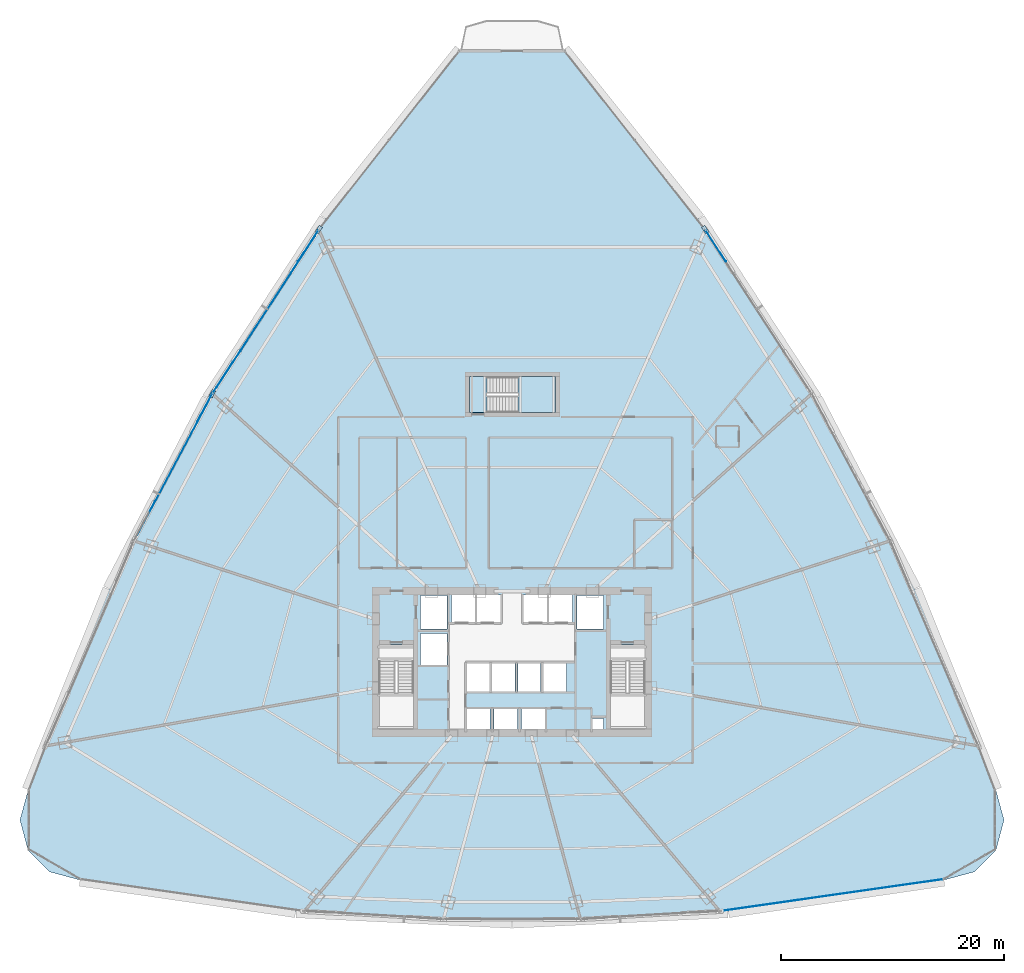
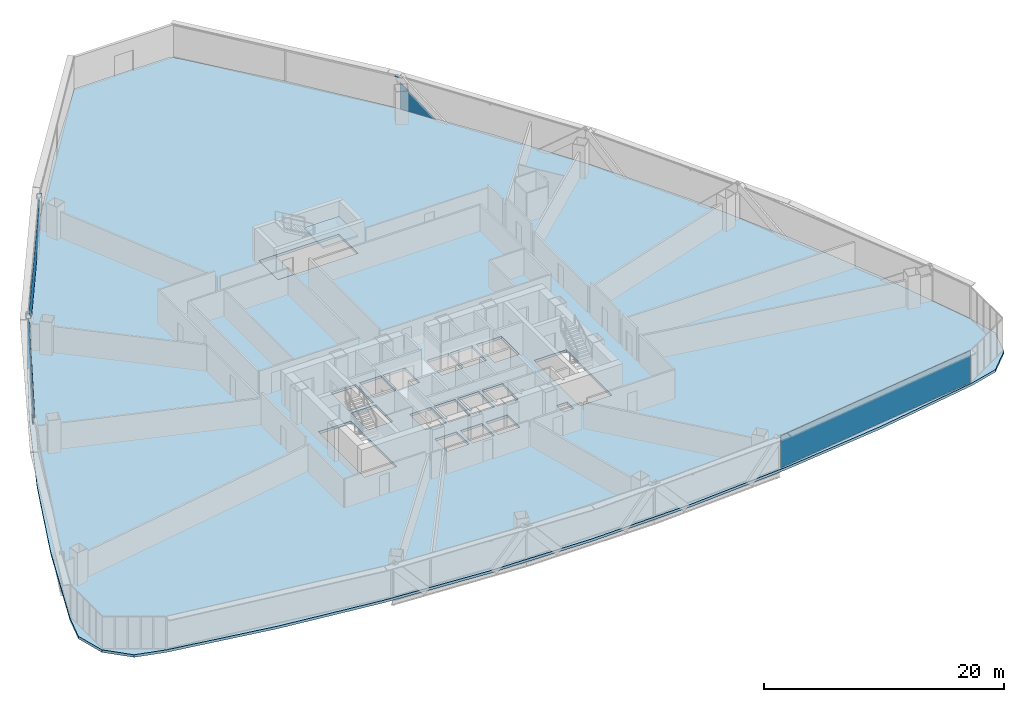
# One storey, part 32 of 42: 10 plates, 3 slabs, 5 elements without a shape of their own.
"""IFC4 building model written with IfcOpenShell, lengths in metres."""

from ifc_helpers import new_model, si_unit, direction, frame, origin, origin_2d, place, context, subcontext, project, spatial, polyline, rectangle, outline, extrude, source, transform, mapped, material, layer, layer_set, type_object, element, aggregate, save


model = new_model("IFC4")

# Units and contexts
model_context = context("Model", 3, precision=1e-05, world=origin(), true_north=direction((0.0, 1.0)))
body_context = subcontext(model_context, "Body", "Model", "MODEL_VIEW")
ifc_project = project(units=[si_unit("LENGTHUNIT", "METRE"), si_unit("AREAUNIT", "SQUARE_METRE"), si_unit("VOLUMEUNIT", "CUBIC_METRE"), si_unit("PLANEANGLEUNIT", "RADIAN"), si_unit("MASSUNIT", "GRAM", prefix="KILO"), si_unit("THERMODYNAMICTEMPERATUREUNIT", "KELVIN"), si_unit("POWERUNIT", "WATT")], contexts=[model_context])

# Site, building, storey
site_placement = place(None, origin())
site = spatial("IfcSite", under=ifc_project, at=site_placement, CompositionType="ELEMENT")
building_placement = place(site_placement, origin())
building = spatial("IfcBuilding", under=site, at=building_placement, Name="Yunzhuo Pagoda Commons", CompositionType="ELEMENT")
storey_placement = place(building_placement, frame((0.0, 0.0, 44.919921875)))
storey = spatial("IfcBuildingStorey", under=building, at=storey_placement, Name="L11", CompositionType="ELEMENT", Elevation=44.919921875)

# Curtain wall, plate
ifc_material_1 = material(Name="Anodized aluminium 6063-T6", Category="aluminium")
ifc_layer_1 = layer(ifc_material_1, 0.1650390625)
ifc_layer_set_1 = layer_set([ifc_layer_1], Name="Anodized aluminium 6063-T6")
curtain_wall_type = type_object("IfcCurtainWallType", Name="CW-LOW Low-Zone Ribbon Curtain Wall", PredefinedType="NOTDEFINED", material=ifc_layer_set_1)
curtain_wall_1_placement = place(storey_placement, origin())
curtain_wall_1 = element("IfcCurtainWall", 1, at=curtain_wall_1_placement, inside=storey, type_object=curtain_wall_type, Name="L11 curtain wall CW-L11-F2B4", PredefinedType="NOTDEFINED")
ifc_material_2 = material(Name="Tempered low-e double glazing", Category="glass")
ifc_layer_2 = layer(ifc_material_2, 0.028076171875)
ifc_layer_set_2 = layer_set([ifc_layer_2], Name="Tempered low-e double glazing")
plate_type_1 = type_object("IfcPlateType", Name="CW-LOW-P Low-E Double Glazing 28", PredefinedType="CURTAIN_PANEL", material=ifc_layer_set_2)
plate_1_placement = place(storey_placement, frame((66.23681640625, 71.108642578125, 1.44140625), z_axis=(0.838709783089, 0.54457864423, 0.0), x_axis=(-0.54457864423, 0.838709783089, 0.0)))
plate_1 = element("IfcPlate", 2, at=plate_1_placement, type_object=plate_type_1, Name="CW panel 1.1 lite 3", PredefinedType="CURTAIN_PANEL", context=body_context, shape_type="SweptSolid", body=[
    extrude(outline(polyline([(-1.6669921875, -1.38134765625), (1.6669921875, -1.38134765625), (1.6669921875, 1.38134765625), (-1.6669921875, -1.38134765625)])), origin(), (0.0, 0.0, 1.0), 0.028076171875),
])
aggregate(curtain_wall_1, [plate_1])

# Curtain wall, plates
curtain_wall_2_placement = place(storey_placement, origin())
curtain_wall_2 = element("IfcCurtainWall", 3, at=curtain_wall_2_placement, inside=storey, type_object=curtain_wall_type, Name="L11 curtain wall CW-L11-F3B2", PredefinedType="NOTDEFINED")
plate_2_placement = place(storey_placement, frame((29.76318359375, 71.108642578125, 1.44140625), z_axis=(-0.838709783089, 0.54457864423, 0.0), x_axis=(-0.54457864423, -0.838709783089, 0.0)))
plate_2 = element("IfcPlate", 4, at=plate_2_placement, type_object=plate_type_1, Name="CW panel 1.1 lite 1", PredefinedType="CURTAIN_PANEL", context=body_context, shape_type="SweptSolid", body=[
    extrude(outline(polyline([(-1.6669921875, -1.38134765625), (1.6669921875, -1.38134765625), (-1.6669921875, 1.38134765625), (-1.6669921875, -1.38134765625)])), origin(), (0.0, 0.0, 1.0), 0.028076171875),
])
plate_3_placement = place(storey_placement, frame((25.96044921875, 65.197265625, 1.68505859375), z_axis=(-0.838709783089, 0.54457864423, 0.0), x_axis=(-0.54457864423, -0.838709783089, 0.0)))
plate_3 = element("IfcPlate", 5, at=plate_3_placement, type_object=plate_type_1, Name="CW panel 1.1 lite 2", PredefinedType="CURTAIN_PANEL", context=body_context, shape_type="SweptSolid", body=[
    extrude(outline(polyline([(-8.0927734375, 1.625), (-4.1708984375, -1.625), (4.1708984375, -1.625), (8.0927734375, 1.625), (-8.0927734375, 1.625)])), origin(), (0.0, 0.0, 1.0), 0.028076171875),
])
plate_4_placement = place(storey_placement, frame((22.107421875, 59.318359375, 1.44140625), z_axis=(-0.838709783089, 0.54457864423, 0.0), x_axis=(-0.54457864423, -0.838709783089, 0.0)))
plate_4 = element("IfcPlate", 6, at=plate_4_placement, type_object=plate_type_1, Name="CW panel 1.1 lite 3", PredefinedType="CURTAIN_PANEL", context=body_context, shape_type="SweptSolid", body=[
    extrude(outline(polyline([(-1.666748046875, -1.38134765625), (1.666748046875, -1.38134765625), (1.666748046875, 1.38134765625), (-1.666748046875, -1.38134765625)])), origin(), (0.0, 0.0, 1.0), 0.028076171875),
])
aggregate(curtain_wall_2, [plate_2, plate_3, plate_4])

curtain_wall_3_placement = place(storey_placement, origin())
curtain_wall_3 = element("IfcCurtainWall", 7, at=curtain_wall_3_placement, inside=storey, type_object=curtain_wall_type, Name="L11 curtain wall CW-L11-F3B3", PredefinedType="NOTDEFINED")
plate_5_placement = place(storey_placement, frame((20.4775390625, 56.57763671875, 1.41845703125), z_axis=(-0.88230916381, 0.470670308662, 0.0), x_axis=(-0.470670308662, -0.88230916381, 0.0)))
plate_5 = element("IfcPlate", 8, at=plate_5_placement, type_object=plate_type_1, Name="CW panel 1.1 lite 1", PredefinedType="CURTAIN_PANEL", context=body_context, shape_type="SweptSolid", body=[
    extrude(outline(polyline([(-1.39599609375, -1.3583984375), (1.39599609375, -1.3583984375), (-1.39599609375, 1.3583984375), (-1.39599609375, -1.3583984375)])), origin(), (0.0, 0.0, 1.0), 0.028076171875),
])
plate_6_placement = place(storey_placement, frame((17.679443359375, 51.268798828125, 1.68505859375), z_axis=(-0.88230916381, 0.470670308662, 0.0), x_axis=(-0.470670308662, -0.88230916381, 0.0)))
plate_6 = element("IfcPlate", 9, at=plate_6_placement, type_object=plate_type_1, Name="CW panel 1.1 lite 2", PredefinedType="CURTAIN_PANEL", context=body_context, shape_type="SweptSolid", body=[
    extrude(outline(polyline([(-6.85546875, 1.625), (-3.514892578125, -1.625), (3.51513671875, -1.625), (6.85546875, 1.625), (-6.85546875, 1.625)])), origin(), (0.0, 0.0, 1.0), 0.028076171875),
])
aggregate(curtain_wall_3, [plate_5, plate_6])

# Stair, slabs
ifc_material_3 = material(Name="Concrete C40", Category="concrete")
stair_type = type_object("IfcStairType", Name="ST-C3 North Tower Smokeproof Stair ST3", PredefinedType="HALF_TURN_STAIR", material=ifc_material_3)
stair_placement = place(storey_placement, origin())
stair = element("IfcStair", 10, at=stair_placement, inside=storey, type_object=stair_type, Name="L11 North tower smokeproof stair ST3", PredefinedType="HALF_TURN_STAIR")
ifc_layer_3 = layer(ifc_material_3, 0.2041015625)
ifc_layer_set_3 = layer_set([ifc_layer_3], Name="Concrete C40")
slab_type_1 = type_object("IfcSlabType", Name="SL-LND5 North Landing Slab 204", PredefinedType="LANDING", material=ifc_layer_set_3)
slab_1_placement = place(storey_placement, frame((0.0, 0.0, 1.614990234375)))
slab_1 = element("IfcSlab", 11, at=slab_1_placement, type_object=slab_type_1, Name="ST3 landing 1", PredefinedType="LANDING", context=body_context, shape_type="SweptSolid", body=[
    extrude(outline(polyline([(48.550048828125, 56.199951171875), (51.89990234375, 56.199951171875), (51.89990234375, 59.39990234375), (48.550048828125, 59.39990234375), (48.550048828125, 56.199951171875)])), origin(), (0.0, 0.0, 1.0), 0.2001953125),
])
slab_2_placement = place(storey_placement, frame((0.0, 0.0, -0.199951171875)))
slab_2 = element("IfcSlab", 12, at=slab_2_placement, type_object=slab_type_1, Name="ST3 floor landing L11", PredefinedType="LANDING", context=body_context, shape_type="SweptSolid", body=[
    extrude(outline(polyline([(44.199951171875, 56.199951171875), (45.75, 56.199951171875), (45.75, 59.39990234375), (44.199951171875, 59.39990234375), (44.199951171875, 56.199951171875)])), origin(), (0.0, 0.0, 1.0), 0.199951171875),
])
aggregate(stair, [slab_1, slab_2])

# Slab
ifc_layer_4 = layer(ifc_material_3, 0.260009765625)
ifc_layer_set_4 = layer_set([ifc_layer_4], Name="Concrete C40")
slab_type_2 = type_object("IfcSlabType", Name="SL-TWR Typical Tower Floor Slab 260", PredefinedType="FLOOR", material=ifc_layer_set_4)
slab_3_placement = place(storey_placement, frame((0.0, 0.0, -0.260009765625)))
element("IfcSlab", 13, at=slab_3_placement, inside=storey, type_object=slab_type_2, Name="L11 structural floor slab", PredefinedType="FLOOR", context=body_context, shape_type="SweptSolid", body=[
    extrude(outline(polyline([(8.08349609375, 31.504150390625), (11.905517578125, 40.38671875), (16.134033203125, 49.031494140625), (20.76904296875, 57.439208984375), (25.81103515625, 65.609375), (31.259521484375, 73.542236328125), (37.11474609375, 81.237548828125), (43.376708984375, 88.695556640625), (52.623291015625, 88.695556640625), (58.88525390625, 81.237548828125), (64.740478515625, 73.542236328125), (70.18896484375, 65.609375), (75.23095703125, 57.439208984375), (79.865966796875, 49.031494140625), (84.094482421875, 40.38671875), (87.91650390625, 31.504150390625), (91.33154296875, 22.384521484375), (92.0615234375, 19.70458984375), (91.3505859375, 17.02001953125), (89.390380859375, 15.052490234375), (86.708251953125, 14.33203125), (77.031005859375, 12.683837890625), (67.35400390625, 11.506591796875), (57.677001953125, 10.80029296875), (48.0, 10.56494140625), (38.322998046875, 10.80029296875), (28.64599609375, 11.506591796875), (18.968994140625, 12.683837890625), (9.291748046875, 14.33203125), (6.609619140625, 15.052490234375), (4.6494140625, 17.02001953125), (3.9384765625, 19.70458984375), (4.66845703125, 22.384521484375), (8.08349609375, 31.504150390625)]), holes=[polyline([(46.050048828125, 27.60009765625), (46.050048828125, 29.64990234375), (43.949951171875, 29.64990234375), (43.949951171875, 27.60009765625), (46.050048828125, 27.60009765625)]), polyline([(48.5, 27.60009765625), (48.5, 29.64990234375), (46.39990234375, 29.64990234375), (46.39990234375, 27.60009765625), (48.5, 27.60009765625)]), polyline([(36.10009765625, 27.800048828125), (39.199951171875, 27.800048828125), (39.199951171875, 35.39990234375), (36.10009765625, 35.39990234375), (36.10009765625, 27.800048828125)]), polyline([(45.969970703125, 31.199951171875), (45.969970703125, 33.800048828125), (43.929931640625, 33.800048828125), (43.929931640625, 31.199951171875), (45.969970703125, 31.199951171875)]), polyline([(48.27001953125, 31.199951171875), (48.27001953125, 33.800048828125), (46.22998046875, 33.800048828125), (46.22998046875, 31.199951171875), (48.27001953125, 31.199951171875)]), polyline([(42.199951171875, 33.60009765625), (42.199951171875, 36.39990234375), (39.800048828125, 36.39990234375), (39.800048828125, 33.60009765625), (42.199951171875, 33.60009765625)]), polyline([(42.199951171875, 36.800048828125), (42.199951171875, 39.800048828125), (39.800048828125, 39.800048828125), (39.800048828125, 36.800048828125), (42.199951171875, 36.800048828125)]), polyline([(42.60009765625, 37.39990234375), (44.699951171875, 37.39990234375), (44.699951171875, 39.85009765625), (42.60009765625, 39.85009765625), (42.60009765625, 37.39990234375)]), polyline([(44.85009765625, 37.39990234375), (46.949951171875, 37.39990234375), (46.949951171875, 39.85009765625), (44.85009765625, 39.85009765625), (44.85009765625, 37.39990234375)]), polyline([(56.179931640625, 27.699951171875), (56.179931640625, 28.800048828125), (55.179931640625, 28.800048828125), (55.179931640625, 27.699951171875), (56.179931640625, 27.699951171875)]), polyline([(50.949951171875, 27.60009765625), (50.949951171875, 29.64990234375), (48.85009765625, 29.64990234375), (48.85009765625, 27.60009765625), (50.949951171875, 27.60009765625)]), polyline([(56.800048828125, 27.800048828125), (59.89990234375, 27.800048828125), (59.89990234375, 35.39990234375), (56.800048828125, 35.39990234375), (56.800048828125, 27.800048828125)]), polyline([(50.570068359375, 31.199951171875), (50.570068359375, 33.800048828125), (48.530029296875, 33.800048828125), (48.530029296875, 31.199951171875), (50.570068359375, 31.199951171875)]), polyline([(52.8701171875, 31.199951171875), (52.8701171875, 33.800048828125), (50.830078125, 33.800048828125), (50.830078125, 31.199951171875), (52.8701171875, 31.199951171875)]), polyline([(56.199951171875, 36.800048828125), (56.199951171875, 39.800048828125), (53.800048828125, 39.800048828125), (53.800048828125, 36.800048828125), (56.199951171875, 36.800048828125)]), polyline([(51.14990234375, 37.39990234375), (51.14990234375, 39.85009765625), (49.050048828125, 39.85009765625), (49.050048828125, 37.39990234375), (51.14990234375, 37.39990234375)]), polyline([(51.300048828125, 37.39990234375), (53.39990234375, 37.39990234375), (53.39990234375, 39.85009765625), (51.300048828125, 39.85009765625), (51.300048828125, 37.39990234375)]), polyline([(44.199951171875, 56.199951171875), (51.89990234375, 56.199951171875), (51.89990234375, 59.39990234375), (44.199951171875, 59.39990234375), (44.199951171875, 56.199951171875)])]), origin(), (0.0, 0.0, 1.0), 0.260009765625),
])

# Plates
ifc_material_4 = material(Name="Structural steel Q355B", Category="steel")
ifc_layer_5 = layer(ifc_material_4, 0.028076171875)
ifc_layer_set_5 = layer_set([ifc_layer_5], Name="Structural steel Q355B")
plate_type_2 = type_object("IfcPlateType", Name="SP-ND1 Lattice Node Cap Plate 800x500x28", PredefinedType="USERDEFINED", material=ifc_layer_set_5)
shared_shape_1 = source(origin(), body_context, "Body", "SweptSolid", [
    extrude(rectangle(XDim=0.699951171875, YDim=0.35009765625, at=origin_2d()), origin(), (0.0, 0.0, 1.0), 0.035888671875),
])
for number, where, z_axis, x_axis, name in (
    (14, (65.305419921875, 72.56884765625, 3.33203125), (0.0, 0.0, 1.0), (-0.544580483437, 0.838708588879, 0.0), "L11 setback lattice tie plate F2.3R"),
    (15, (30.694580078125, 72.56884765625, 3.33203125), (0.0, 0.0, 1.0), (-0.544580483437, -0.838708588879, 0.0), "L11 setback lattice tie plate F3.1L"),
    (16, (21.152587890625, 57.873291015625, 3.33203125), (0.0, 0.0, 1.0), (-0.470673134105, -0.882307656564, 0.0), "L11 setback lattice tie plate F3.2L"),
):
    element("IfcPlate", number, at=place(storey_placement, frame(where, z_axis=z_axis, x_axis=x_axis)), inside=storey, type_object=plate_type_2, Name=name, ObjectType="STIFFENER_PLATE", PredefinedType="USERDEFINED", context=body_context, shape_type="MappedRepresentation", body=[
        mapped(shared_shape_1, transform((0.0, 0.0, 0.0), scale=1.0)),
    ])

# Curtain wall, plate
curtain_wall_4_placement = place(storey_placement, origin())
curtain_wall_4 = element("IfcCurtainWall", 17, at=curtain_wall_4_placement, inside=storey, type_object=curtain_wall_type, Name="L11 curtain wall CW-L11-F1B5", PredefinedType="NOTDEFINED")
shared_shape_2 = source(origin(), body_context, "Body", "SweptSolid", [
    extrude(rectangle(XDim=20.06689453125, YDim=0.028076171875, at=origin_2d()), origin(), (0.0, 0.0, 1.0), 3.25),
])
plate_7_placement = place(storey_placement, frame((76.67138671875, 12.972412109375, 0.06005859375), z_axis=(0.0, 0.0, 1.0), x_axis=(0.989939291447, 0.141492753346, 0.0)))
plate_7 = element("IfcPlate", 18, at=plate_7_placement, type_object=plate_type_1, Name="CW panel 1.1", PredefinedType="CURTAIN_PANEL", context=body_context, shape_type="MappedRepresentation", body=[
    mapped(shared_shape_2, transform((0.0, 0.0, 0.0), scale=1.0)),
])
aggregate(curtain_wall_4, [plate_7])

save(model, "model.ifc")
